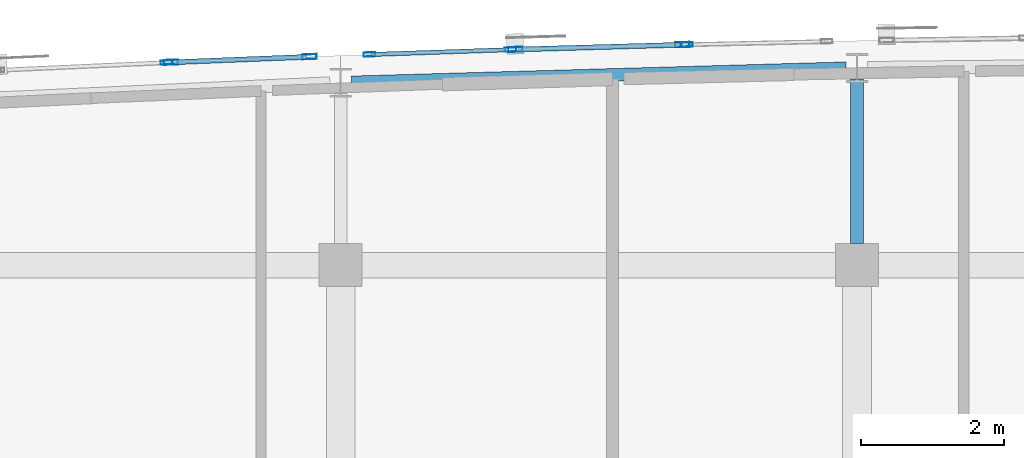
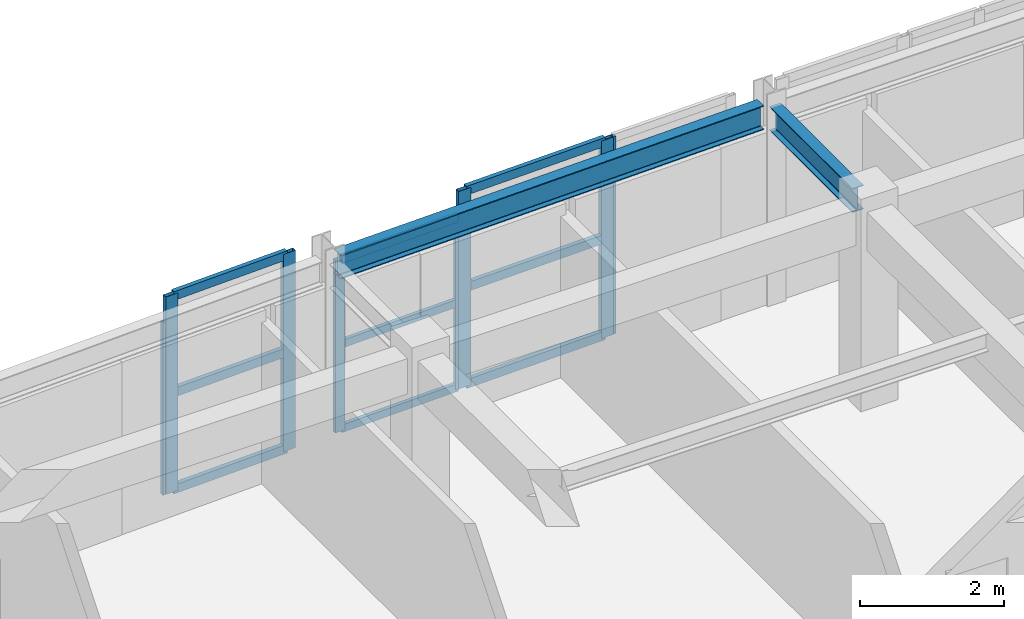
# One storey, part 19 of 73: 17 members, 2 beams, 5 elements without a shape of their own.
"""IFC4 building model written with IfcOpenShell, lengths in metres."""

import ifcopenshell
import ifcopenshell.guid

model = None  # the IFC model being written
_history = None  # IfcOwnerHistory: only IFC2X3 demands one
_inside = {}  # id of a spatial element -> (the spatial element, [elements in it])
_under = {}  # id of a project, library or spatial element -> (it, [spatial elements below it])
_declared = {}  # id of a project -> (the project, [libraries it declares])
_typed = {}  # id of a type object -> (the type object, [elements of that type])
_made_of = {}  # id of a material, layer set ... -> (it, [elements and type objects made of it])


def new_model(schema):
    """Start an empty IFC model of exactly this schema.

    Asked for "IFC4X3", IfcOpenShell would pick the latest addendum, in which some entities
    have other attributes; the version numbers below select the first issue.
    IFC2X3 requires an IfcOwnerHistory on every rooted entity: one is made here for all.
    """
    global model, _history
    if schema == "IFC4X3":
        model = ifcopenshell.file(schema_version=(4, 3, 0, 0))
    else:
        model = ifcopenshell.file(schema=schema)
    _inside.clear()
    _under.clear()
    _declared.clear()
    _typed.clear()
    _made_of.clear()
    _history = None
    if model.schema == "IFC2X3":
        org = make("IfcOrganization", Name="unknown")
        user = make(
            "IfcPersonAndOrganization",
            ThePerson=make("IfcPerson", FamilyName="unknown"),
            TheOrganization=org,
        )
        app = make(
            "IfcApplication",
            ApplicationDeveloper=org,
            Version="unknown",
            ApplicationFullName="unknown",
            ApplicationIdentifier="unknown",
        )
        _history = make(
            "IfcOwnerHistory",
            OwningUser=user,
            OwningApplication=app,
            ChangeAction="ADDED",
            CreationDate=0,
        )
    return model


def make(cls, **values):
    """One entity of the class cls with the attributes given. An attribute that is None is left unset."""
    return model.create_entity(
        cls, **{name: value for name, value in values.items() if value is not None}
    )


def rooted(cls, **values):
    """An entity with a GlobalId (a new one), such as an element, a storey or a relation."""
    return make(cls, GlobalId=ifcopenshell.guid.new(), OwnerHistory=_history, **values)


def si_unit(unit_type, name, prefix=None):
    """IfcSIUnit, for example si_unit("LENGTHUNIT", "METRE", prefix="MILLI")."""
    return make("IfcSIUnit", UnitType=unit_type, Prefix=prefix, Name=name)


def assignment(units):
    """IfcUnitAssignment: the units of a project."""
    return None if units is None else make("IfcUnitAssignment", Units=units)


def point(xyz):
    """IfcCartesianPoint."""
    return None if xyz is None else make("IfcCartesianPoint", Coordinates=xyz)


def direction(xyz):
    """IfcDirection."""
    return None if xyz is None else make("IfcDirection", DirectionRatios=xyz)


def frame(location, z_axis=None, x_axis=None):
    """IfcAxis2Placement3D, a coordinate frame: its origin and axes. An axis left out is left unset."""
    return make(
        "IfcAxis2Placement3D",
        Location=point(location),
        Axis=direction(z_axis),
        RefDirection=direction(x_axis),
    )


def frame_2d(location, x_axis=None):
    """IfcAxis2Placement2D, a coordinate frame in the plane: its origin and x axis."""
    return make(
        "IfcAxis2Placement2D", Location=point(location), RefDirection=direction(x_axis)
    )


def origin():
    """The frame at (0, 0, 0) with its axes left unset."""
    return frame((0.0, 0.0, 0.0))


def origin_2d():
    """The frame at (0, 0) in the plane with its x axis left unset."""
    return frame_2d((0.0, 0.0))


def place(relative_to, where):
    """IfcLocalPlacement: puts the frame where relative to a parent placement (None: the world)."""
    return make(
        "IfcLocalPlacement", PlacementRelTo=relative_to, RelativePlacement=where
    )


def context(
    kind, dimensions, precision=None, world=None, true_north=None, identifier=None
):
    """IfcGeometricRepresentationContext, for example the 3D "Model" context."""
    return make(
        "IfcGeometricRepresentationContext",
        ContextIdentifier=identifier,
        ContextType=kind,
        CoordinateSpaceDimension=dimensions,
        Precision=precision,
        WorldCoordinateSystem=world,
        TrueNorth=true_north,
    )


def subcontext(parent, identifier, kind, view, scale=None):
    """IfcGeometricRepresentationSubContext, for example "Body" below "Model"."""
    return make(
        "IfcGeometricRepresentationSubContext",
        ContextIdentifier=identifier,
        ContextType=kind,
        ParentContext=parent,
        TargetScale=scale,
        TargetView=view,
    )


def project(units=None, contexts=None):
    """IfcProject with its units and contexts."""
    return rooted(
        "IfcProject",
        Name="project",
        RepresentationContexts=contexts,
        UnitsInContext=assignment(units),
    )


def spatial(cls, under=None, at=None, **own):
    """A site, building, storey or space (cls), placed at a placement, below another one or the project."""
    s = rooted(cls, ObjectPlacement=at, **own)
    if under is not None:
        _under.setdefault(under.id(), (under, []))[1].append(s)
    return s


def profile(cls, at=None, kind="AREA", **sizes):
    """A parametric profile (cls). Its sizes go by their IFC names, for example OverallWidth=200.0."""
    return make(cls, ProfileType=kind, Position=at, **sizes)


def hollow_rectangle(**sizes):
    """IfcRectangleHollowProfileDef."""
    return profile("IfcRectangleHollowProfileDef", **sizes)


def i_section(**sizes):
    """IfcIShapeProfileDef."""
    return profile("IfcIShapeProfileDef", **sizes)


def extrude(swept, where, along, depth):
    """IfcExtrudedAreaSolid: the profile swept, set in the frame where, extruded along a direction by depth."""
    return make(
        "IfcExtrudedAreaSolid",
        SweptArea=swept,
        Position=where,
        ExtrudedDirection=direction(along),
        Depth=depth,
    )


def shape(context_of_items, identifier, shape_type, items):
    """IfcShapeRepresentation: the items that make up one representation, for example the "Body"."""
    return make(
        "IfcShapeRepresentation",
        ContextOfItems=context_of_items,
        RepresentationIdentifier=identifier,
        RepresentationType=shape_type,
        Items=items,
    )


def material(Name=None, Category=None):
    """IfcMaterial."""
    return make("IfcMaterial", Name=Name, Category=Category)


def layer(
    of_material, thickness, ventilated=None, Name=None, Category=None, Priority=None
):
    """IfcMaterialLayer: one layer of a wall or slab, of a material (None: an air gap)."""
    return make(
        "IfcMaterialLayer",
        Material=of_material,
        LayerThickness=thickness,
        IsVentilated=ventilated,
        Name=Name,
        Category=Category,
        Priority=Priority,
    )


def layer_set(layers, Name=None):
    """IfcMaterialLayerSet."""
    return make("IfcMaterialLayerSet", MaterialLayers=layers, LayerSetName=Name)


def material_profile(
    of_material, cross_section, Name=None, Category=None, Priority=None
):
    """IfcMaterialProfile: a cross section and its material."""
    return make(
        "IfcMaterialProfile",
        Name=Name,
        Material=of_material,
        Profile=cross_section,
        Priority=Priority,
        Category=Category,
    )


def profile_set(profiles, Name=None, composite=None):
    """IfcMaterialProfileSet."""
    return make(
        "IfcMaterialProfileSet",
        Name=Name,
        MaterialProfiles=profiles,
        CompositeProfile=composite,
    )


def made_of(thing, what):
    """Note that an element or type object is made of a material, layer set ...; save() writes the relation."""
    if what is not None:
        _made_of.setdefault(what.id(), (what, []))[1].append(thing)
    return thing


def type_object(cls, material=None, **own):
    """A type object (cls), such as IfcWallType, which elements share."""
    return made_of(rooted(cls, **own), material)


def element(
    cls,
    number,
    at=None,
    inside=None,
    cuts=None,
    type_object=None,
    material=None,
    context=None,
    identifier="Body",
    shape_type=None,
    held_by="IfcProductDefinitionShape",
    body=None,
    shapes=None,
    **own,
):
    """One element of the class cls, such as IfcWall. Its Tag is "e" and its number.

    at: its placement. inside: the storey or other place that contains it. cuts: it is an
    opening in that element (IfcRelVoidsElement). A single representation is given by context,
    identifier, shape_type and body (its items); several are given by shapes. held_by: the class
    of the entity that holds the representations. save() writes the other relations.
    """
    e = rooted(cls, Tag="e%d" % number, ObjectPlacement=at, **own)
    if body is not None:
        shapes = [shape(context, identifier, shape_type, body)]
    if shapes is not None:
        e.Representation = make(held_by, Representations=shapes)
    if inside is not None:
        _inside.setdefault(inside.id(), (inside, []))[1].append(e)
    if cuts is not None:
        rooted(
            "IfcRelVoidsElement", RelatingBuildingElement=cuts, RelatedOpeningElement=e
        )
    if type_object is not None:
        _typed.setdefault(type_object.id(), (type_object, []))[1].append(e)
    return made_of(e, material)


def aggregate(whole, parts):
    """IfcRelAggregates: a whole, such as a stair, and the parts it consists of."""
    return rooted("IfcRelAggregates", RelatingObject=whole, RelatedObjects=parts)


def save(model, path):
    """Write the relations noted so far, then the file.

    IfcRelAggregates (storeys below a building ...), IfcRelContainedInSpatialStructure (elements
    in a storey), IfcRelDefinesByType, IfcRelAssociatesMaterial and IfcRelDeclares: one each for
    every whole, place, type object, material and project.
    """
    for whole, parts in _under.values():
        aggregate(whole, parts)
    for where, things in _inside.values():
        rooted(
            "IfcRelContainedInSpatialStructure",
            RelatedElements=things,
            RelatingStructure=where,
        )
    for kind, things in _typed.values():
        rooted("IfcRelDefinesByType", RelatedObjects=things, RelatingType=kind)
    for what, things in _made_of.values():
        rooted("IfcRelAssociatesMaterial", RelatedObjects=things, RelatingMaterial=what)
    for by, libraries in _declared.values():
        rooted("IfcRelDeclares", RelatingContext=by, RelatedDefinitions=libraries)
    model.write(path)


model = new_model("IFC4")

# Units and contexts
model_context = context("Model", 3, precision=1e-05, world=origin(), true_north=direction((0.0, 1.0)))
body_context = subcontext(model_context, "Body", "Model", "MODEL_VIEW")
ifc_project = project(units=[si_unit("LENGTHUNIT", "METRE"), si_unit("AREAUNIT", "SQUARE_METRE"), si_unit("VOLUMEUNIT", "CUBIC_METRE"), si_unit("PLANEANGLEUNIT", "RADIAN"), si_unit("MASSUNIT", "GRAM", prefix="KILO")], contexts=[model_context])

# Site, building, storey
site_placement = place(None, origin())
site = spatial("IfcSite", under=ifc_project, at=site_placement, CompositionType="ELEMENT")
building_placement = place(site_placement, origin())
building = spatial("IfcBuilding", under=site, at=building_placement, Name="Carrowvane Square Congress Hotel", CompositionType="ELEMENT")
storey_placement = place(building_placement, frame((0.0, 0.0, 19.199951171875)))
storey = spatial("IfcBuildingStorey", under=building, at=storey_placement, Name="L04", CompositionType="ELEMENT", Elevation=19.199951171875)

# Beams
ifc_material_1 = material(Name="Steel S355", Category="steel")
ifc_material_profile_1 = material_profile(ifc_material_1, i_section(OverallWidth=0.1787109375, OverallDepth=0.409423828125, WebThickness=0.0087890625, FlangeThickness=0.014404296875, FilletRadius=0.01025390625, at=origin_2d()), Name="UKB 406x178x67")
ifc_profile_set_1 = profile_set([ifc_material_profile_1], Name="Steel S355")
beam_type = type_object("IfcBeamType", Name="BM-ST-UKB406", PredefinedType="BEAM", material=ifc_profile_set_1)
beam_1_placement = place(storey_placement, frame((83.75, 115.9482421875, 3.145263671875), z_axis=(0.999591595899, 0.028576938382, 0.0), x_axis=(-0.028576938382, 0.999591595899, 0.0)))
element("IfcBeam", 1, at=beam_1_placement, inside=storey, type_object=beam_type, Name="L05 curved north spandrel", PredefinedType="BEAM", context=body_context, shape_type="SweptSolid", body=[
    extrude(i_section(OverallWidth=0.1787109375, OverallDepth=0.409423828125, WebThickness=0.0087890625, FlangeThickness=0.014404296875, FilletRadius=0.01025390625, at=origin_2d()), origin(), (0.0, 0.0, 1.0), 6.903076171875),
])
beam_2_placement = place(storey_placement, frame((90.800048828125, 113.699951171875, 3.145263671875), z_axis=(0.0, 1.0, 0.0), x_axis=(-1.0, 0.0, 0.0)))
element("IfcBeam", 2, at=beam_2_placement, inside=storey, type_object=beam_type, Name="L05 radial north beam 12", PredefinedType="BEAM", context=body_context, shape_type="SweptSolid", body=[
    extrude(i_section(OverallWidth=0.1787109375, OverallDepth=0.409423828125, WebThickness=0.0087890625, FlangeThickness=0.014404296875, FilletRadius=0.01025390625, at=origin_2d()), origin(), (0.0, 0.0, 1.0), 2.2998046875),
])

# Curtain wall, member
ifc_material_2 = material(Name="Anodised aluminium", Category="aluminium")
ifc_layer_1 = layer(ifc_material_2, 0.162109375)
ifc_layer_set_1 = layer_set([ifc_layer_1], Name="Anodised aluminium")
curtain_wall_type_1 = type_object("IfcCurtainWallType", Name="CW-SYS-1", PredefinedType="NOTDEFINED", material=ifc_layer_set_1)
curtain_wall_1_placement = place(storey_placement, origin())
curtain_wall_1 = element("IfcCurtainWall", 3, at=curtain_wall_1_placement, inside=storey, type_object=curtain_wall_type_1, Name="L04 unitised curtain wall 264", PredefinedType="NOTDEFINED")
ifc_material_3 = material(Name="Anodised aluminium", Category="aluminium")
ifc_material_profile_2 = material_profile(ifc_material_3, hollow_rectangle(XDim=0.06005859375, YDim=0.159912109375, WallThickness=0.00390625, at=origin_2d()), Name="CW-ML 60x160x4")
ifc_profile_set_2 = profile_set([ifc_material_profile_2], Name="Anodised aluminium")
member_type_1 = type_object("IfcMemberType", Name="CW-MUL-1", PredefinedType="MULLION", material=ifc_profile_set_2)
member_1_placement = place(storey_placement, frame((81.170166015625, 116.226318359375, 0.0), z_axis=(0.0, 0.0, 1.0), x_axis=(-0.045411059449, 0.998968385726, 0.0)))
member_1 = element("IfcMember", 4, at=member_1_placement, type_object=member_type_1, Name="CW-1 mullion 2", PredefinedType="MULLION", context=body_context, shape_type="SweptSolid", body=[
    extrude(hollow_rectangle(XDim=0.06005859375, YDim=0.159912109375, WallThickness=0.00390625, at=origin_2d()), origin(), (0.0, 0.0, 1.0), 2.925537109375),
])
aggregate(curtain_wall_1, [member_1])

# Curtain wall, members
ifc_material_4 = material(Name="Anodised aluminium", Category="aluminium")
ifc_layer_2 = layer(ifc_material_4, 0.18603515625)
ifc_layer_set_2 = layer_set([ifc_layer_2], Name="Anodised aluminium")
curtain_wall_type_2 = type_object("IfcCurtainWallType", Name="CW-SYS-3", PredefinedType="NOTDEFINED", material=ifc_layer_set_2)
curtain_wall_2_placement = place(storey_placement, origin())
curtain_wall_2 = element("IfcCurtainWall", 5, at=curtain_wall_2_placement, inside=storey, type_object=curtain_wall_type_2, Name="L04 unitised curtain wall 266", PredefinedType="NOTDEFINED")
member_2_placement = place(storey_placement, frame((84.00048828125, 116.337890625, 0.0), z_axis=(0.0, 0.0, 1.0), x_axis=(-0.034526729036, 0.999403774749, 0.0)))
member_2 = element("IfcMember", 6, at=member_2_placement, type_object=member_type_1, Name="CW-3 mullion 1", PredefinedType="MULLION", context=body_context, shape_type="SweptSolid", body=[
    extrude(hollow_rectangle(XDim=0.06005859375, YDim=0.159912109375, WallThickness=0.00390625, at=origin_2d()), origin(), (0.0, 0.0, 1.0), 2.925537109375),
])
member_3_placement = place(storey_placement, frame((85.969970703125, 116.406005859375, 0.0), z_axis=(0.0, 0.0, 1.0), x_axis=(-0.034526729036, 0.999403774749, 0.0)))
member_3 = element("IfcMember", 7, at=member_3_placement, type_object=member_type_1, Name="CW-3 mullion 2", PredefinedType="MULLION", context=body_context, shape_type="SweptSolid", body=[
    extrude(hollow_rectangle(XDim=0.06005859375, YDim=0.159912109375, WallThickness=0.00390625, at=origin_2d()), origin(), (0.0, 0.0, 1.0), 2.925537109375),
])

# Curtain wall, member
ifc_material_5 = material(Name="Anodised aluminium", Category="aluminium")
ifc_layer_3 = layer(ifc_material_5, 0.2099609375)
ifc_layer_set_3 = layer_set([ifc_layer_3], Name="Anodised aluminium")
curtain_wall_type_3 = type_object("IfcCurtainWallType", Name="CW-SYS-5", PredefinedType="NOTDEFINED", material=ifc_layer_set_3)
curtain_wall_3_placement = place(storey_placement, origin())
curtain_wall_3 = element("IfcCurtainWall", 8, at=curtain_wall_3_placement, inside=storey, type_object=curtain_wall_type_3, Name="L04 unitised curtain wall 268", PredefinedType="NOTDEFINED")
member_4_placement = place(storey_placement, frame((88.429931640625, 116.476318359375, 0.0), z_axis=(0.0, 0.0, 1.0), x_axis=(-0.022517686606, 0.99974644475, 0.0)))
member_4 = element("IfcMember", 9, at=member_4_placement, type_object=member_type_1, Name="CW-5 mullion 1", PredefinedType="MULLION", context=body_context, shape_type="SweptSolid", body=[
    extrude(hollow_rectangle(XDim=0.06005859375, YDim=0.159912109375, WallThickness=0.00390625, at=origin_2d()), origin(), (0.0, 0.0, 1.0), 3.35009765625),
])
aggregate(curtain_wall_3, [member_4])

# Curtain wall, members
ifc_material_6 = material(Name="Anodised aluminium", Category="aluminium")
ifc_layer_4 = layer(ifc_material_6, 0.174072265625)
ifc_layer_set_4 = layer_set([ifc_layer_4], Name="Anodised aluminium")
curtain_wall_type_4 = type_object("IfcCurtainWallType", Name="CW-SYS-2", PredefinedType="NOTDEFINED", material=ifc_layer_set_4)
curtain_wall_4_placement = place(storey_placement, origin())
curtain_wall_4 = element("IfcCurtainWall", 10, at=curtain_wall_4_placement, inside=storey, type_object=curtain_wall_type_4, Name="L04 unitised curtain wall 265", PredefinedType="NOTDEFINED")
ifc_material_7 = material(Name="Anodised aluminium", Category="aluminium")
ifc_material_profile_3 = material_profile(ifc_material_7, hollow_rectangle(XDim=0.070068359375, YDim=0.199951171875, WallThickness=0.0048828125, at=origin_2d()), Name="CW-ML 70x200x5")
ifc_profile_set_3 = profile_set([ifc_material_profile_3], Name="Anodised aluminium")
member_type_2 = type_object("IfcMemberType", Name="CW-MUL-2", PredefinedType="MULLION", material=ifc_profile_set_3)
member_5_placement = place(storey_placement, frame((81.23486328125, 116.22900390625, 0.0), z_axis=(0.0, 0.0, 1.0), x_axis=(-0.040135742379, 0.999194236464, 0.0)))
member_5 = element("IfcMember", 11, at=member_5_placement, type_object=member_type_2, Name="CW-2 mullion 1", PredefinedType="MULLION", context=body_context, shape_type="SweptSolid", body=[
    extrude(hollow_rectangle(XDim=0.070068359375, YDim=0.199951171875, WallThickness=0.0048828125, at=origin_2d()), origin(), (0.0, 0.0, 1.0), 3.35009765625),
])
member_6_placement = place(storey_placement, frame((83.166015625, 116.306640625, 0.0), z_axis=(0.0, 0.0, 1.0), x_axis=(-0.040135742379, 0.999194236464, 0.0)))
member_6 = element("IfcMember", 12, at=member_6_placement, type_object=member_type_2, Name="CW-2 mullion 2", PredefinedType="MULLION", context=body_context, shape_type="SweptSolid", body=[
    extrude(hollow_rectangle(XDim=0.070068359375, YDim=0.199951171875, WallThickness=0.0048828125, at=origin_2d()), origin(), (0.0, 0.0, 1.0), 3.35009765625),
])

ifc_material_8 = material(Name="Anodised aluminium", Category="aluminium")
ifc_layer_5 = layer(ifc_material_8, 0.197998046875)
ifc_layer_set_5 = layer_set([ifc_layer_5], Name="Anodised aluminium")
curtain_wall_type_5 = type_object("IfcCurtainWallType", Name="CW-SYS-4", PredefinedType="NOTDEFINED", material=ifc_layer_set_5)
curtain_wall_5_placement = place(storey_placement, origin())
curtain_wall_5 = element("IfcCurtainWall", 13, at=curtain_wall_5_placement, inside=storey, type_object=curtain_wall_type_5, Name="L04 unitised curtain wall 267", PredefinedType="NOTDEFINED")
member_7_placement = place(storey_placement, frame((86.034912109375, 116.407958984375, 0.0), z_axis=(0.0, 0.0, 1.0), x_axis=(-0.028638010501, 0.999589848065, 0.0)))
member_7 = element("IfcMember", 14, at=member_7_placement, type_object=member_type_2, Name="CW-4 mullion 1", PredefinedType="MULLION", context=body_context, shape_type="SweptSolid", body=[
    extrude(hollow_rectangle(XDim=0.070068359375, YDim=0.199951171875, WallThickness=0.0048828125, at=origin_2d()), origin(), (0.0, 0.0, 1.0), 3.35009765625),
])
member_8_placement = place(storey_placement, frame((88.364990234375, 116.474609375, 0.0), z_axis=(0.0, 0.0, 1.0), x_axis=(-0.028638010501, 0.999589848065, 0.0)))
member_8 = element("IfcMember", 15, at=member_8_placement, type_object=member_type_2, Name="CW-4 mullion 2", PredefinedType="MULLION", context=body_context, shape_type="SweptSolid", body=[
    extrude(hollow_rectangle(XDim=0.070068359375, YDim=0.199951171875, WallThickness=0.0048828125, at=origin_2d()), origin(), (0.0, 0.0, 1.0), 3.35009765625),
])

# Member
ifc_material_9 = material(Name="Anodised aluminium", Category="aluminium")
ifc_material_profile_4 = material_profile(ifc_material_9, hollow_rectangle(XDim=0.06005859375, YDim=0.1298828125, WallThickness=0.00390625, at=origin_2d()), Name="CW-TR 60x130x4")
ifc_profile_set_4 = profile_set([ifc_material_profile_4], Name="Anodised aluminium")
member_type_3 = type_object("IfcMemberType", Name="CW-TRN-1", PredefinedType="USERDEFINED", material=ifc_profile_set_4)
member_9_placement = place(storey_placement, frame((84.030517578125, 116.3388671875, 0.030029296875), z_axis=(0.999404632698, 0.034501886054, 0.0), x_axis=(-0.034501886054, 0.999404632698, 0.0)))
member_9 = element("IfcMember", 16, at=member_9_placement, type_object=member_type_3, Name="CW-3 transom 1.1", ObjectType="TRANSOM", PredefinedType="USERDEFINED", context=body_context, shape_type="SweptSolid", body=[
    extrude(hollow_rectangle(XDim=0.06005859375, YDim=0.1298828125, WallThickness=0.00390625, at=origin_2d()), origin(), (0.0, 0.0, 1.0), 1.91064453125),
])

member_10_placement = place(storey_placement, frame((84.030517578125, 116.3388671875, 1.462890625), z_axis=(0.999404632698, 0.034501886054, 0.0), x_axis=(-0.034501886054, 0.999404632698, 0.0)))
member_10 = element("IfcMember", 17, at=member_10_placement, type_object=member_type_3, Name="CW-3 transom 1.2", ObjectType="TRANSOM", PredefinedType="USERDEFINED", context=body_context, shape_type="SweptSolid", body=[
    extrude(hollow_rectangle(XDim=0.06005859375, YDim=0.1298828125, WallThickness=0.00390625, at=origin_2d()), origin(), (0.0, 0.0, 1.0), 1.91064453125),
])

member_11_placement = place(storey_placement, frame((84.030517578125, 116.3388671875, 2.895751953125), z_axis=(0.999404632698, 0.034501886054, 0.0), x_axis=(-0.034501886054, 0.999404632698, 0.0)))
member_11 = element("IfcMember", 18, at=member_11_placement, type_object=member_type_3, Name="CW-3 transom 1.3", ObjectType="TRANSOM", PredefinedType="USERDEFINED", context=body_context, shape_type="SweptSolid", body=[
    extrude(hollow_rectangle(XDim=0.06005859375, YDim=0.1298828125, WallThickness=0.00390625, at=origin_2d()), origin(), (0.0, 0.0, 1.0), 1.91064453125),
])

aggregate(curtain_wall_2, [member_2, member_3, member_9, member_10, member_11])

ifc_material_10 = material(Name="Anodised aluminium", Category="aluminium")
ifc_material_profile_5 = material_profile(ifc_material_10, hollow_rectangle(XDim=0.070068359375, YDim=0.14990234375, WallThickness=0.0048828125, at=origin_2d()), Name="CW-TR 70x150x5")
ifc_profile_set_5 = profile_set([ifc_material_profile_5], Name="Anodised aluminium")
member_type_4 = type_object("IfcMemberType", Name="CW-TRN-2", PredefinedType="USERDEFINED", material=ifc_profile_set_5)
member_12_placement = place(storey_placement, frame((81.27001953125, 116.23046875, 0.03515625), z_axis=(0.999195295271, 0.040109374308, 0.0), x_axis=(-0.040109374308, 0.999195295271, 0.0)))
member_12 = element("IfcMember", 19, at=member_12_placement, type_object=member_type_4, Name="CW-2 transom 1.1", ObjectType="TRANSOM", PredefinedType="USERDEFINED", context=body_context, shape_type="SweptSolid", body=[
    extrude(hollow_rectangle(XDim=0.070068359375, YDim=0.14990234375, WallThickness=0.0048828125, at=origin_2d()), origin(), (0.0, 0.0, 1.0), 1.862548828125),
])

member_13_placement = place(storey_placement, frame((81.27001953125, 116.23046875, 1.675048828125), z_axis=(0.999195295271, 0.040109374308, 0.0), x_axis=(-0.040109374308, 0.999195295271, 0.0)))
member_13 = element("IfcMember", 20, at=member_13_placement, type_object=member_type_4, Name="CW-2 transom 1.2", ObjectType="TRANSOM", PredefinedType="USERDEFINED", context=body_context, shape_type="SweptSolid", body=[
    extrude(hollow_rectangle(XDim=0.070068359375, YDim=0.14990234375, WallThickness=0.0048828125, at=origin_2d()), origin(), (0.0, 0.0, 1.0), 1.862548828125),
])

member_14_placement = place(storey_placement, frame((81.27001953125, 116.23046875, 3.31494140625), z_axis=(0.999195295271, 0.040109374308, 0.0), x_axis=(-0.040109374308, 0.999195295271, 0.0)))
member_14 = element("IfcMember", 21, at=member_14_placement, type_object=member_type_4, Name="CW-2 transom 1.3", ObjectType="TRANSOM", PredefinedType="USERDEFINED", context=body_context, shape_type="SweptSolid", body=[
    extrude(hollow_rectangle(XDim=0.070068359375, YDim=0.14990234375, WallThickness=0.0048828125, at=origin_2d()), origin(), (0.0, 0.0, 1.0), 1.862548828125),
])

aggregate(curtain_wall_4, [member_5, member_6, member_12, member_13, member_14])

member_15_placement = place(storey_placement, frame((86.070068359375, 116.408935546875, 0.03515625), z_axis=(0.999590499539, 0.028615262221, 0.0), x_axis=(-0.028615262221, 0.999590499539, 0.0)))
member_15 = element("IfcMember", 22, at=member_15_placement, type_object=member_type_4, Name="CW-4 transom 1.1", ObjectType="TRANSOM", PredefinedType="USERDEFINED", context=body_context, shape_type="SweptSolid", body=[
    extrude(hollow_rectangle(XDim=0.070068359375, YDim=0.14990234375, WallThickness=0.0048828125, at=origin_2d()), origin(), (0.0, 0.0, 1.0), 2.260986328125),
])

member_16_placement = place(storey_placement, frame((86.070068359375, 116.408935546875, 1.675048828125), z_axis=(0.999590499539, 0.028615262221, 0.0), x_axis=(-0.028615262221, 0.999590499539, 0.0)))
member_16 = element("IfcMember", 23, at=member_16_placement, type_object=member_type_4, Name="CW-4 transom 1.2", ObjectType="TRANSOM", PredefinedType="USERDEFINED", context=body_context, shape_type="SweptSolid", body=[
    extrude(hollow_rectangle(XDim=0.070068359375, YDim=0.14990234375, WallThickness=0.0048828125, at=origin_2d()), origin(), (0.0, 0.0, 1.0), 2.260986328125),
])

member_17_placement = place(storey_placement, frame((86.070068359375, 116.408935546875, 3.31494140625), z_axis=(0.999590499539, 0.028615262221, 0.0), x_axis=(-0.028615262221, 0.999590499539, 0.0)))
member_17 = element("IfcMember", 24, at=member_17_placement, type_object=member_type_4, Name="CW-4 transom 1.3", ObjectType="TRANSOM", PredefinedType="USERDEFINED", context=body_context, shape_type="SweptSolid", body=[
    extrude(hollow_rectangle(XDim=0.070068359375, YDim=0.14990234375, WallThickness=0.0048828125, at=origin_2d()), origin(), (0.0, 0.0, 1.0), 2.260986328125),
])

aggregate(curtain_wall_5, [member_7, member_8, member_15, member_16, member_17])

save(model, "model.ifc")
